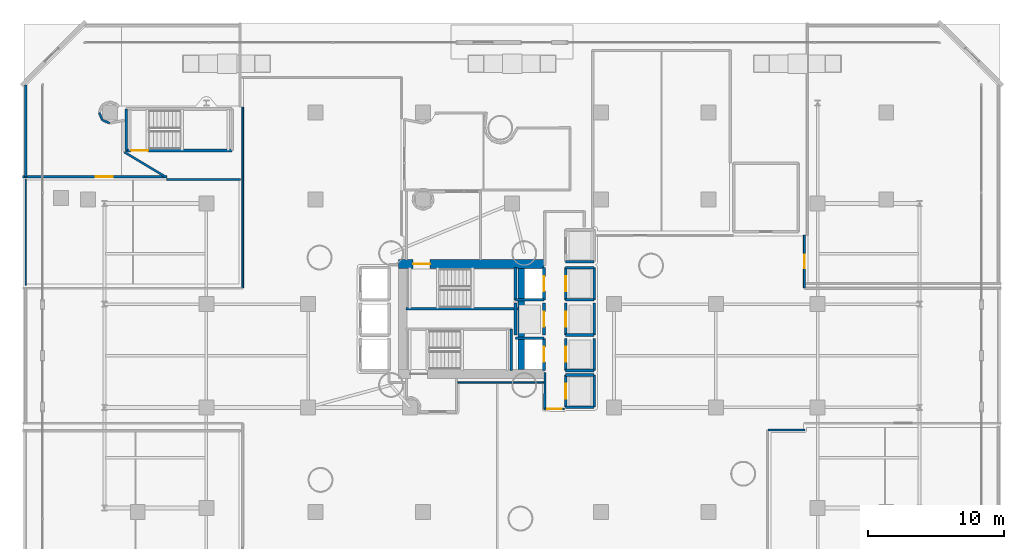
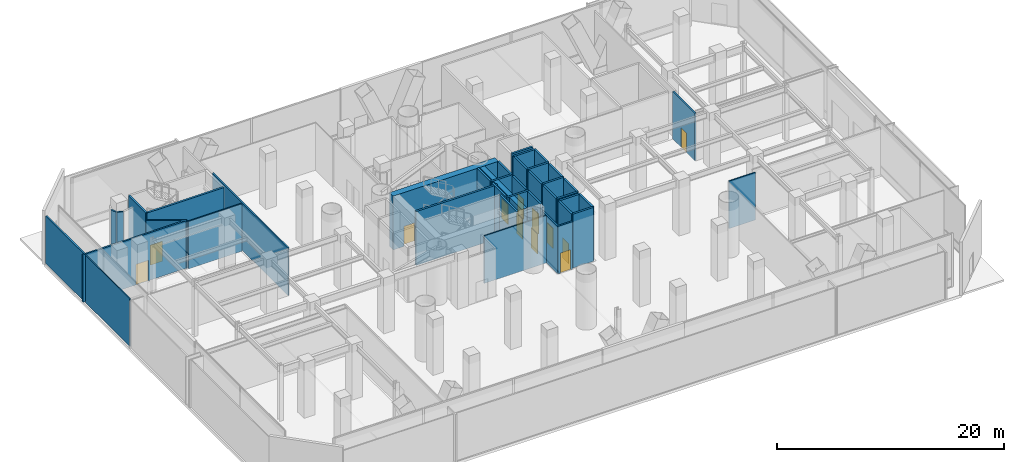
# One storey, part 29 of 40: 41 walls, 12 doors, 12 openings.
"""IFC4 building model written with IfcOpenShell, lengths in metres."""

from ifc_helpers import new_model, si_unit, direction, frame, frame_2d, origin, place, context, subcontext, project, spatial, rectangle, extrude, material, layer, layer_set, type_object, element, fill, save


model = new_model("IFC4")

# Units and contexts
model_context = context("Model", 3, precision=1e-05, world=origin(), true_north=direction((0.0, 1.0)))
body_context = subcontext(model_context, "Body", "Model", "MODEL_VIEW")
ifc_project = project(units=[si_unit("LENGTHUNIT", "METRE"), si_unit("AREAUNIT", "SQUARE_METRE"), si_unit("VOLUMEUNIT", "CUBIC_METRE"), si_unit("PLANEANGLEUNIT", "RADIAN"), si_unit("MASSUNIT", "GRAM", prefix="KILO")], contexts=[model_context])

# Site, building, storey
site_placement = place(None, origin())
site = spatial("IfcSite", under=ifc_project, at=site_placement, CompositionType="ELEMENT")
building_placement = place(site_placement, origin())
building = spatial("IfcBuilding", under=site, at=building_placement, Name="Qianvela Tower", CompositionType="ELEMENT")
storey_placement = place(building_placement, origin())
storey = spatial("IfcBuildingStorey", under=building, at=storey_placement, Name="L00", CompositionType="ELEMENT", Elevation=0.0)

# Wall, opening, door
ifc_material_1 = material(Name="Concrete C60", Category="concrete")
ifc_layer_1 = layer(ifc_material_1, 0.64990234375)
ifc_layer_set_1 = layer_set([ifc_layer_1], Name="Concrete C60")
wall_type_1 = type_object("IfcWallType", Name="WT-CORE-650", PredefinedType="SHEAR", material=ifc_layer_set_1)
wall_1_placement = place(storey_placement, frame((29.1298828125, 32.7451171875, 0.0), z_axis=(0.0, 0.0, 1.0), x_axis=(1.0, 0.0, 0.0)))
wall_1 = element("IfcWall", 1, at=wall_1_placement, inside=storey, type_object=wall_type_1, Name="L00 North Core Shear Wall", PredefinedType="SHEAR", context=body_context, shape_type="SweptSolid", body=[
    extrude(rectangle(XDim=10.72021484375, YDim=0.64990234375, at=frame_2d((5.360107421875, 0.0))), origin(), (0.0, 0.0, 1.0), 5.780029296875),
])
opening_1_placement = place(wall_1_placement, frame((1.094970703125, 0.0, 0.0)))
opening_1 = element("IfcOpeningElement", 2, at=opening_1_placement, cuts=wall_1, Name="Opening D-ST1", PredefinedType="OPENING", context=body_context, shape_type="SweptSolid", body=[
    extrude(rectangle(XDim=1.25, YDim=2.14990234375, at=frame_2d((0.625, 1.074951171875))), frame((0.0, 0.3349609375, 0.0), z_axis=(0.0, -1.0, 0.0), x_axis=(1.0, 0.0, 0.0)), (0.0, 0.0, 1.0), 0.669921875),
])
ifc_material_2 = material(Name="Galvanised Fire Steel Q355B", Category="steel")
door_type_1 = type_object("IfcDoorType", Name="DT-STAIR-FD90", OperationType="NOTDEFINED", PredefinedType="DOOR", material=ifc_material_2)
door_1_placement = place(opening_1_placement, origin())
door_1 = element("IfcDoor", 3, at=door_1_placement, inside=storey, type_object=door_type_1, Name="L00 Stair ST-1 Exit Door", OperationType="SINGLE_SWING_RIGHT", OverallHeight=2.14990234375, OverallWidth=1.25, PredefinedType="DOOR", context=body_context, shape_type="SweptSolid", body=[
    extrude(rectangle(XDim=1.25, YDim=2.14990234375, at=frame_2d((0.625, 1.074951171875))), frame((0.0, 0.02490234375, 0.0), z_axis=(0.0, -1.0, 0.0), x_axis=(1.0, 0.0, 0.0)), (0.0, 0.0, 1.0), 0.050048828125),
])
fill(opening_1, door_1)

# Wall
wall_2_placement = place(storey_placement, frame((38.179931640625, 24.97998046875, 0.0), z_axis=(0.0, 0.0, 1.0), x_axis=(0.0, 1.0, 0.0)))
element("IfcWall", 4, at=wall_2_placement, inside=storey, type_object=wall_type_1, Name="L00 East Spine Core Shear Wall", PredefinedType="SHEAR", context=body_context, shape_type="SweptSolid", body=[
    extrude(rectangle(XDim=7.43994140625, YDim=0.5, at=frame_2d((3.719970703125, 0.0))), origin(), (0.0, 0.0, 1.0), 5.780029296875),
])

# Wall, opening, door
ifc_material_3 = material(Name="Fire-Rated Gypsum and Concrete Block", Category="concrete")
ifc_layer_2 = layer(ifc_material_3, 0.159912109375)
ifc_layer_set_2 = layer_set([ifc_layer_2], Name="Fire-Rated Gypsum and Concrete Block")
wall_type_2 = type_object("IfcWallType", Name="WT-CORR-160", PredefinedType="PARTITIONING", material=ifc_layer_set_2)
wall_3_placement = place(storey_placement, frame((41.360107421875, 22.0810546875, 0.0), z_axis=(0.0, 0.0, 1.0), x_axis=(-1.0, 0.0, 0.0)))
wall_3 = element("IfcWall", 5, at=wall_3_placement, inside=storey, type_object=wall_type_2, Name="L00 Partition 28 seg 1", PredefinedType="PARTITIONING", context=body_context, shape_type="SweptSolid", body=[
    extrude(rectangle(XDim=1.480224609375, YDim=0.159912109375, at=frame_2d((0.740234375, 0.0))), origin(), (0.0, 0.0, 1.0), 5.10009765625),
])
opening_2_placement = place(wall_3_placement, frame((0.215087890625, 0.0, 0.0)))
opening_2 = element("IfcOpeningElement", 6, at=opening_2_placement, cuts=wall_3, Name="Opening D-PL1", PredefinedType="OPENING", context=body_context, shape_type="SweptSolid", body=[
    extrude(rectangle(XDim=1.050048828125, YDim=2.14990234375, at=frame_2d((0.52490234375, 1.074951171875))), frame((0.0, 0.08984375, 0.0), z_axis=(0.0, -1.0, 0.0), x_axis=(1.0, 0.0, 0.0)), (0.0, 0.0, 1.0), 0.179931640625),
])
ifc_material_4 = material(Name="Insulated Steel Fire Door Q355B", Category="steel")
door_type_2 = type_object("IfcDoorType", Name="DT-PLANT-FD90", OperationType="NOTDEFINED", PredefinedType="DOOR", material=ifc_material_4)
door_2_placement = place(opening_2_placement, origin())
door_2 = element("IfcDoor", 7, at=door_2_placement, inside=storey, type_object=door_type_2, Name="L00 Door L00 Lift Lobby to Street Concourse", OperationType="SINGLE_SWING_LEFT", OverallHeight=2.14990234375, OverallWidth=1.050048828125, PredefinedType="DOOR", context=body_context, shape_type="SweptSolid", body=[
    extrude(rectangle(XDim=1.050048828125, YDim=2.14990234375, at=frame_2d((0.52490234375, 1.074951171875))), frame((0.0, 0.02490234375, 0.0), z_axis=(0.0, -1.0, 0.0), x_axis=(1.0, 0.0, 0.0)), (0.0, 0.0, 1.0), 0.050048828125),
])
fill(opening_2, door_2)

# Walls
wall_4_placement = place(storey_placement, frame((39.910888671875, 22.0498046875, 0.0), z_axis=(0.0, 0.0, 1.0), x_axis=(0.005133679986, 0.999986822578, 0.0)))
element("IfcWall", 8, at=wall_4_placement, inside=storey, type_object=wall_type_2, Name="L00 Partition 29", PredefinedType="PARTITIONING", context=body_context, shape_type="SweptSolid", body=[
    extrude(rectangle(XDim=2.710693359375, YDim=0.159912109375, at=frame_2d((1.35546875, 0.0))), origin(), (0.0, 0.0, 1.0), 5.10009765625),
])
wall_5_placement = place(storey_placement, frame((8.975830078125, 40.984619140625, 0.0), z_axis=(0.0, 0.0, 1.0), x_axis=(0.857713004506, -0.514128779492, 0.0)))
element("IfcWall", 9, at=wall_5_placement, inside=storey, type_object=wall_type_2, Name="L00 Partition 32", PredefinedType="PARTITIONING", context=body_context, shape_type="SweptSolid", body=[
    extrude(rectangle(XDim=3.620361328125, YDim=0.159912109375, at=frame_2d((1.81005859375, 0.0))), origin(), (0.0, 0.0, 1.0), 5.10009765625),
])

# Wall, opening, door
wall_6_placement = place(storey_placement, frame((12.096923828125, 39.180908203125, 0.0), z_axis=(0.0, 0.0, 1.0), x_axis=(-1.0, 0.0, 0.0)))
wall_6 = element("IfcWall", 10, at=wall_6_placement, inside=storey, type_object=wall_type_2, Name="L00 Partition 33", PredefinedType="PARTITIONING", context=body_context, shape_type="SweptSolid", body=[
    extrude(rectangle(XDim=10.616943359375, YDim=0.159912109375, at=frame_2d((5.30859375, 0.0))), origin(), (0.0, 0.0, 1.0), 5.10009765625),
])
opening_3_placement = place(wall_6_placement, frame((3.9833984375, 0.0, 0.0)))
opening_3 = element("IfcOpeningElement", 11, at=opening_3_placement, cuts=wall_6, Name="Opening D-LG1", PredefinedType="OPENING", context=body_context, shape_type="SweptSolid", body=[
    extrude(rectangle(XDim=1.25, YDim=2.199951171875, at=frame_2d((0.625, 1.10009765625))), frame((0.0, 0.08984375, 0.0), z_axis=(0.0, -1.0, 0.0), x_axis=(1.0, 0.0, 0.0)), (0.0, 0.0, 1.0), 0.179931640625),
])
ifc_material_5 = material(Name="Anodised Aluminium Acoustic Glass Door", Category="aluminium")
door_type_3 = type_object("IfcDoorType", Name="DT-LOUNGE-1250", OperationType="NOTDEFINED", PredefinedType="DOOR", material=ifc_material_5)
door_3_placement = place(opening_3_placement, origin())
door_3 = element("IfcDoor", 12, at=door_3_placement, inside=storey, type_object=door_type_3, Name="L00 Door Student Residence Concierge and Mail Hall to L00 Protected Exit Passageway North-West", OperationType="SINGLE_SWING_LEFT", OverallHeight=2.199951171875, OverallWidth=1.25, PredefinedType="DOOR", context=body_context, shape_type="SweptSolid", body=[
    extrude(rectangle(XDim=1.25, YDim=2.199951171875, at=frame_2d((0.625, 1.10009765625))), frame((0.0, 0.02490234375, 0.0), z_axis=(0.0, -1.0, 0.0), x_axis=(1.0, 0.0, 0.0)), (0.0, 0.0, 1.0), 0.050048828125),
])
fill(opening_3, door_3)

# Walls
wall_7_placement = place(storey_placement, frame((1.7109375, 39.14990234375, 0.0), z_axis=(0.0, 0.0, 1.0), x_axis=(0.0, 1.0, 0.0)))
element("IfcWall", 13, at=wall_7_placement, inside=storey, type_object=wall_type_2, Name="L00 Partition 34", PredefinedType="PARTITIONING", context=body_context, shape_type="SweptSolid", body=[
    extrude(rectangle(XDim=6.775390625, YDim=0.159912109375, at=frame_2d((3.3876953125, 0.0))), origin(), (0.0, 0.0, 1.0), 5.10009765625),
])
for number, where, z_axis, x_axis, name in (
    (14, (7.121337890625, 43.88818359375, 0.0), (0.0, 0.0, 1.0), (0.382802560388, -0.92383017907, 0.0), "L00 Partition 46"),
    (15, (7.35791015625, 43.341064453125, 0.0), (0.0, 0.0, 1.0), (0.92383017907, -0.382802560388, 0.0), "L00 Partition 47"),
):
    element("IfcWall", number, at=place(storey_placement, frame(where, z_axis=z_axis, x_axis=x_axis)), inside=storey, type_object=wall_type_2, Name=name, PredefinedType="PARTITIONING", context=body_context, shape_type="SweptSolid", body=[
        extrude(rectangle(XDim=0.573974609375, YDim=0.159912109375, at=frame_2d((0.287109375, 0.0))), origin(), (0.0, 0.0, 1.0), 5.10009765625),
    ])
ifc_material_6 = material(Name="Lightweight Gypsum Room Partition")
ifc_layer_3 = layer(ifc_material_6, 0.10498046875)
ifc_layer_set_3 = layer_set([ifc_layer_3], Name="Lightweight Gypsum Room Partition")
wall_type_3 = type_object("IfcWallType", Name="WT-PART-105", PredefinedType="PARTITIONING", material=ifc_layer_set_3)
wall_8_placement = place(storey_placement, frame((1.7109375, 31.199951171875, 0.0), z_axis=(0.0, 0.0, 1.0), x_axis=(0.0, 1.0, 0.0)))
element("IfcWall", 16, at=wall_8_placement, inside=storey, type_object=wall_type_3, Name="L00 Partition 118", PredefinedType="PARTITIONING", context=body_context, shape_type="SweptSolid", body=[
    extrude(rectangle(XDim=7.800048828125, YDim=0.10498046875, at=frame_2d((3.89990234375, 0.0))), origin(), (0.0, 0.0, 1.0), 5.10009765625),
])
ifc_material_7 = material(Name="Insulated Gypsum Stud Partition")
ifc_layer_4 = layer(ifc_material_7, 0.1201171875)
ifc_layer_set_4 = layer_set([ifc_layer_4], Name="Insulated Gypsum Stud Partition")
wall_type_4 = type_object("IfcWallType", Name="WT-PART-120", PredefinedType="PARTITIONING", material=ifc_layer_set_4)
wall_9_placement = place(storey_placement, frame((33.511962890625, 24.01904296875, 0.0), z_axis=(0.0, 0.0, 1.0), x_axis=(1.0, 0.0, 0.0)))
element("IfcWall", 17, at=wall_9_placement, inside=storey, type_object=wall_type_4, Name="L00 Partition 84", PredefinedType="PARTITIONING", context=body_context, shape_type="SweptSolid", body=[
    extrude(rectangle(XDim=6.30810546875, YDim=0.1201171875, at=frame_2d((3.154052734375, 0.0))), origin(), (0.0, 0.0, 1.0), 5.10009765625),
])
wall_10_placement = place(storey_placement, frame((59.050048828125, 20.531005859375, 0.0), z_axis=(0.0, 0.0, 1.0), x_axis=(-1.0, 0.0, 0.0)))
element("IfcWall", 18, at=wall_10_placement, inside=storey, type_object=wall_type_4, Name="L00 Partition 99", PredefinedType="PARTITIONING", context=body_context, shape_type="SweptSolid", body=[
    extrude(rectangle(XDim=2.699951171875, YDim=0.1201171875, at=frame_2d((1.35009765625, 0.0))), origin(), (0.0, 0.0, 1.0), 5.10009765625),
])
ifc_material_8 = material(Name="Acoustic Double Gypsum Stud Partition")
ifc_layer_5 = layer(ifc_material_8, 0.139892578125)
ifc_layer_set_5 = layer_set([ifc_layer_5], Name="Acoustic Double Gypsum Stud Partition")
wall_type_5 = type_object("IfcWallType", Name="WT-ROOM-140", PredefinedType="PARTITIONING", material=ifc_layer_set_5)
wall_11_placement = place(storey_placement, frame((17.680908203125, 31.0, 0.0), z_axis=(0.0, 0.0, 1.0), x_axis=(0.0, 1.0, 0.0)))
element("IfcWall", 19, at=wall_11_placement, inside=storey, type_object=wall_type_5, Name="L00 Partition 68 seg 1", PredefinedType="PARTITIONING", context=body_context, shape_type="SweptSolid", body=[
    extrude(rectangle(XDim=13.297119140625, YDim=0.139892578125, at=frame_2d((6.6484375, 0.0))), origin(), (0.0, 0.0, 1.0), 5.10009765625),
])

# Wall, opening, door
wall_12_placement = place(storey_placement, frame((59.01904296875, 34.8798828125, 0.0), z_axis=(0.0, 0.0, 1.0), x_axis=(0.0, -1.0, 0.0)))
wall_12 = element("IfcWall", 20, at=wall_12_placement, inside=storey, type_object=wall_type_5, Name="L00 Partition 95", PredefinedType="PARTITIONING", context=body_context, shape_type="SweptSolid", body=[
    extrude(rectangle(XDim=3.8798828125, YDim=0.139892578125, at=frame_2d((1.93994140625, 0.0))), origin(), (0.0, 0.0, 1.0), 5.10009765625),
])
opening_4_placement = place(wall_12_placement, frame((1.449951171875, 0.0, 0.0)))
opening_4 = element("IfcOpeningElement", 21, at=opening_4_placement, cuts=wall_12, Name="Opening D-RM1", PredefinedType="OPENING", context=body_context, shape_type="SweptSolid", body=[
    extrude(rectangle(XDim=0.97998046875, YDim=2.10009765625, at=frame_2d((0.489990234375, 1.050048828125))), frame((0.0, 0.079833984375, 0.0), z_axis=(0.0, -1.0, 0.0), x_axis=(1.0, 0.0, 0.0)), (0.0, 0.0, 1.0), 0.159912109375),
])
ifc_material_9 = material(Name="Solid Core Acoustic Timber Fire Door", Category="wood")
door_type_4 = type_object("IfcDoorType", Name="DT-ROOM-FD60", OperationType="NOTDEFINED", PredefinedType="DOOR", material=ifc_material_9)
door_4_placement = place(opening_4_placement, origin())
door_4 = element("IfcDoor", 22, at=door_4_placement, inside=storey, type_object=door_type_4, Name="L00 Door Service Loading and Refuse Bay to Street Concourse", OperationType="SINGLE_SWING_RIGHT", OverallHeight=2.10009765625, OverallWidth=0.97998046875, PredefinedType="DOOR", context=body_context, shape_type="SweptSolid", body=[
    extrude(rectangle(XDim=0.97998046875, YDim=2.10009765625, at=frame_2d((0.489990234375, 1.050048828125))), frame((0.0, 0.02490234375, 0.0), z_axis=(0.0, -1.0, 0.0), x_axis=(1.0, 0.0, 0.0)), (0.0, 0.0, 1.0), 0.050048828125),
])
fill(opening_4, door_4)

# Walls
wall_13_placement = place(storey_placement, frame((12.096923828125, 38.968994140625, 0.0), z_axis=(0.0, 0.0, 1.0), x_axis=(1.0, 0.0, 0.0)))
element("IfcWall", 23, at=wall_13_placement, inside=storey, type_object=wall_type_5, Name="L00 Partition 119 seg 1", PredefinedType="PARTITIONING", context=body_context, shape_type="SweptSolid", body=[
    extrude(rectangle(XDim=5.403076171875, YDim=0.139892578125, at=frame_2d((2.70166015625, 0.0))), origin(), (0.0, 0.0, 1.0), 5.10009765625),
])
ifc_material_10 = material(Name="Concrete C50", Category="concrete")
ifc_layer_6 = layer(ifc_material_10, 0.199951171875)
ifc_layer_set_6 = layer_set([ifc_layer_6], Name="Concrete C50")
wall_type_6 = type_object("IfcWallType", Name="WT-SHAFT-200", PredefinedType="SOLIDWALL", material=ifc_layer_set_6)
wall_14_placement = place(storey_placement, frame((29.699951171875, 29.449951171875, 0.0), z_axis=(0.0, 0.0, 1.0), x_axis=(1.0, 0.0, 0.0)))
element("IfcWall", 24, at=wall_14_placement, inside=storey, type_object=wall_type_6, Name="L00 Stair ST-1 South Wall", PredefinedType="SOLIDWALL", context=body_context, shape_type="SweptSolid", body=[
    extrude(rectangle(XDim=8.300048828125, YDim=0.199951171875, at=frame_2d((4.14990234375, 0.0))), origin(), (0.0, 0.0, 1.0), 5.780029296875),
])
wall_15_placement = place(storey_placement, frame((37.449951171875, 24.89990234375, 0.0), z_axis=(0.0, 0.0, 1.0), x_axis=(0.0, 1.0, 0.0)))
element("IfcWall", 25, at=wall_15_placement, inside=storey, type_object=wall_type_6, Name="L00 Stair ST-2 East Wall", PredefinedType="SOLIDWALL", context=body_context, shape_type="SweptSolid", body=[
    extrude(rectangle(XDim=3.06005859375, YDim=0.199951171875, at=frame_2d((1.530029296875, 0.0))), origin(), (0.0, 0.0, 1.0), 5.780029296875),
])

# Wall, opening, door
wall_16_placement = place(storey_placement, frame((9.10009765625, 41.10009765625, 0.0), z_axis=(0.0, 0.0, 1.0), x_axis=(1.0, 0.0, 0.0)))
wall_16 = element("IfcWall", 26, at=wall_16_placement, inside=storey, type_object=wall_type_6, Name="L00 Stair ST-3 South Wall", PredefinedType="SOLIDWALL", context=body_context, shape_type="SweptSolid", body=[
    extrude(rectangle(XDim=7.7998046875, YDim=0.199951171875, at=frame_2d((3.89990234375, 0.0))), origin(), (0.0, 0.0, 1.0), 5.780029296875),
])
opening_5_placement = place(wall_16_placement, frame((0.360107421875, 0.0, 0.0)))
opening_5 = element("IfcOpeningElement", 27, at=opening_5_placement, cuts=wall_16, Name="Opening D-ST1", PredefinedType="OPENING", context=body_context, shape_type="SweptSolid", body=[
    extrude(rectangle(XDim=1.25, YDim=2.14990234375, at=frame_2d((0.625, 1.074951171875))), frame((0.0, 0.10986328125, 0.0), z_axis=(0.0, -1.0, 0.0), x_axis=(1.0, 0.0, 0.0)), (0.0, 0.0, 1.0), 0.219970703125),
])
door_5_placement = place(opening_5_placement, origin())
door_5 = element("IfcDoor", 28, at=door_5_placement, inside=storey, type_object=door_type_1, Name="L00 Stair ST-3 Exit Door", OperationType="SINGLE_SWING_LEFT", OverallHeight=2.14990234375, OverallWidth=1.25, PredefinedType="DOOR", context=body_context, shape_type="SweptSolid", body=[
    extrude(rectangle(XDim=1.25, YDim=2.14990234375, at=frame_2d((0.625, 1.074951171875))), frame((0.0, 0.02490234375, 0.0), z_axis=(0.0, -1.0, 0.0), x_axis=(1.0, 0.0, 0.0)), (0.0, 0.0, 1.0), 0.050048828125),
])
fill(opening_5, door_5)

# Wall
wall_17_placement = place(storey_placement, frame((9.10009765625, 41.10009765625, 0.0), z_axis=(0.0, 0.0, 1.0), x_axis=(0.0, 1.0, 0.0)))
element("IfcWall", 29, at=wall_17_placement, inside=storey, type_object=wall_type_6, Name="L00 Stair ST-3 West Wall", PredefinedType="SOLIDWALL", context=body_context, shape_type="SweptSolid", body=[
    extrude(rectangle(XDim=3.059814453125, YDim=0.199951171875, at=frame_2d((1.52978515625, 0.0))), origin(), (0.0, 0.0, 1.0), 5.780029296875),
])

# Wall, opening, door
wall_18_placement = place(storey_placement, frame((39.85009765625, 30.1201171875, 0.0), z_axis=(0.0, 0.0, 1.0), x_axis=(0.0, 1.0, 0.0)))
wall_18 = element("IfcWall", 30, at=wall_18_placement, inside=storey, type_object=wall_type_6, Name="L00 Lift FL-1 E Shaft Wall", PredefinedType="SOLIDWALL", context=body_context, shape_type="SweptSolid", body=[
    extrude(rectangle(XDim=2.35986328125, YDim=0.199951171875, at=frame_2d((1.179931640625, 0.0))), origin(), (0.0, 0.0, 1.0), 5.780029296875),
])
opening_6_placement = place(wall_18_placement, frame((0.6298828125, 0.0, 0.0)))
opening_6 = element("IfcOpeningElement", 31, at=opening_6_placement, cuts=wall_18, Name="Opening LD-01", PredefinedType="OPENING", context=body_context, shape_type="SweptSolid", body=[
    extrude(rectangle(XDim=1.10009765625, YDim=2.14990234375, at=frame_2d((0.550048828125, 1.074951171875))), frame((0.0, 0.10986328125, 0.0), z_axis=(0.0, -1.0, 0.0), x_axis=(1.0, 0.0, 0.0)), (0.0, 0.0, 1.0), 0.219970703125),
])
ifc_material_11 = material(Name="Brushed Stainless Steel Lift Landing Door", Category="steel")
door_type_5 = type_object("IfcDoorType", Name="DT-LIFT-SLIDE-1100", OperationType="SLIDING_TO_LEFT", PredefinedType="DOOR", material=ifc_material_11)
door_6_placement = place(opening_6_placement, origin())
door_6 = element("IfcDoor", 32, at=door_6_placement, inside=storey, type_object=door_type_5, Name="L00 Lift FL-1 Sliding Landing Door", OperationType="SLIDING_TO_LEFT", OverallHeight=2.14990234375, OverallWidth=1.10009765625, PredefinedType="DOOR", context=body_context, shape_type="SweptSolid", body=[
    extrude(rectangle(XDim=1.10009765625, YDim=2.14990234375, at=frame_2d((0.550048828125, 1.074951171875))), frame((0.0, 0.02490234375, 0.0), z_axis=(0.0, -1.0, 0.0), x_axis=(1.0, 0.0, 0.0)), (0.0, 0.0, 1.0), 0.050048828125),
])
fill(opening_6, door_6)

# Walls
wall_19_placement = place(storey_placement, frame((37.75, 30.1201171875, 0.0), z_axis=(0.0, 0.0, 1.0), x_axis=(0.0, 1.0, 0.0)))
element("IfcWall", 33, at=wall_19_placement, inside=storey, type_object=wall_type_6, Name="L00 Lift FL-1 W Shaft Wall", PredefinedType="SOLIDWALL", context=body_context, shape_type="SweptSolid", body=[
    extrude(rectangle(XDim=2.35986328125, YDim=0.199951171875, at=frame_2d((1.179931640625, 0.0))), origin(), (0.0, 0.0, 1.0), 5.780029296875),
])
wall_20_placement = place(storey_placement, frame((37.75, 30.1201171875, 0.0), z_axis=(0.0, 0.0, 1.0), x_axis=(1.0, 0.0, 0.0)))
element("IfcWall", 34, at=wall_20_placement, inside=storey, type_object=wall_type_6, Name="L00 Lift FL-1 S Shaft Wall", PredefinedType="SOLIDWALL", context=body_context, shape_type="SweptSolid", body=[
    extrude(rectangle(XDim=2.10009765625, YDim=0.199951171875, at=frame_2d((1.050048828125, 0.0))), origin(), (0.0, 0.0, 1.0), 5.780029296875),
])

# Wall, opening, door
wall_21_placement = place(storey_placement, frame((39.85009765625, 24.919921875, 0.0), z_axis=(0.0, 0.0, 1.0), x_axis=(0.0, 1.0, 0.0)))
wall_21 = element("IfcWall", 35, at=wall_21_placement, inside=storey, type_object=wall_type_6, Name="L00 Lift FL-2 E Shaft Wall", PredefinedType="SOLIDWALL", context=body_context, shape_type="SweptSolid", body=[
    extrude(rectangle(XDim=2.360107421875, YDim=0.199951171875, at=frame_2d((1.18017578125, 0.0))), origin(), (0.0, 0.0, 1.0), 5.780029296875),
])
opening_7_placement = place(wall_21_placement, frame((0.6298828125, 0.0, 0.0)))
opening_7 = element("IfcOpeningElement", 36, at=opening_7_placement, cuts=wall_21, Name="Opening LD-01", PredefinedType="OPENING", context=body_context, shape_type="SweptSolid", body=[
    extrude(rectangle(XDim=1.10009765625, YDim=2.14990234375, at=frame_2d((0.550048828125, 1.074951171875))), frame((0.0, 0.10986328125, 0.0), z_axis=(0.0, -1.0, 0.0), x_axis=(1.0, 0.0, 0.0)), (0.0, 0.0, 1.0), 0.219970703125),
])
door_7_placement = place(opening_7_placement, origin())
door_7 = element("IfcDoor", 37, at=door_7_placement, inside=storey, type_object=door_type_5, Name="L00 Lift FL-2 Sliding Landing Door", OperationType="SLIDING_TO_LEFT", OverallHeight=2.14990234375, OverallWidth=1.10009765625, PredefinedType="DOOR", context=body_context, shape_type="SweptSolid", body=[
    extrude(rectangle(XDim=1.10009765625, YDim=2.14990234375, at=frame_2d((0.550048828125, 1.074951171875))), frame((0.0, 0.02490234375, 0.0), z_axis=(0.0, -1.0, 0.0), x_axis=(1.0, 0.0, 0.0)), (0.0, 0.0, 1.0), 0.050048828125),
])
fill(opening_7, door_7)

# Walls
wall_22_placement = place(storey_placement, frame((37.75, 27.280029296875, 0.0), z_axis=(0.0, 0.0, 1.0), x_axis=(1.0, 0.0, 0.0)))
element("IfcWall", 38, at=wall_22_placement, inside=storey, type_object=wall_type_6, Name="L00 Lift FL-2 N Shaft Wall", PredefinedType="SOLIDWALL", context=body_context, shape_type="SweptSolid", body=[
    extrude(rectangle(XDim=2.10009765625, YDim=0.199951171875, at=frame_2d((1.050048828125, 0.0))), origin(), (0.0, 0.0, 1.0), 5.780029296875),
])
wall_23_placement = place(storey_placement, frame((43.550048828125, 30.1201171875, 0.0), z_axis=(0.0, 0.0, 1.0), x_axis=(0.0, 1.0, 0.0)))
element("IfcWall", 39, at=wall_23_placement, inside=storey, type_object=wall_type_6, Name="L00 Lift PL-M1 E Shaft Wall", PredefinedType="SOLIDWALL", context=body_context, shape_type="SweptSolid", body=[
    extrude(rectangle(XDim=2.35986328125, YDim=0.199951171875, at=frame_2d((1.179931640625, 0.0))), origin(), (0.0, 0.0, 1.0), 5.780029296875),
])

# Wall, opening, door
wall_24_placement = place(storey_placement, frame((41.449951171875, 30.1201171875, 0.0), z_axis=(0.0, 0.0, 1.0), x_axis=(0.0, 1.0, 0.0)))
wall_24 = element("IfcWall", 40, at=wall_24_placement, inside=storey, type_object=wall_type_6, Name="L00 Lift PL-M1 W Shaft Wall", PredefinedType="SOLIDWALL", context=body_context, shape_type="SweptSolid", body=[
    extrude(rectangle(XDim=2.35986328125, YDim=0.199951171875, at=frame_2d((1.179931640625, 0.0))), origin(), (0.0, 0.0, 1.0), 5.780029296875),
])
opening_8_placement = place(wall_24_placement, frame((0.6298828125, 0.0, 0.0)))
opening_8 = element("IfcOpeningElement", 41, at=opening_8_placement, cuts=wall_24, Name="Opening LD-01", PredefinedType="OPENING", context=body_context, shape_type="SweptSolid", body=[
    extrude(rectangle(XDim=1.10009765625, YDim=2.14990234375, at=frame_2d((0.550048828125, 1.074951171875))), frame((0.0, 0.10986328125, 0.0), z_axis=(0.0, -1.0, 0.0), x_axis=(1.0, 0.0, 0.0)), (0.0, 0.0, 1.0), 0.219970703125),
])
door_8_placement = place(opening_8_placement, origin())
door_8 = element("IfcDoor", 42, at=door_8_placement, inside=storey, type_object=door_type_5, Name="L00 Lift PL-M1 Sliding Landing Door", OperationType="SLIDING_TO_LEFT", OverallHeight=2.14990234375, OverallWidth=1.10009765625, PredefinedType="DOOR", context=body_context, shape_type="SweptSolid", body=[
    extrude(rectangle(XDim=1.10009765625, YDim=2.14990234375, at=frame_2d((0.550048828125, 1.074951171875))), frame((0.0, 0.02490234375, 0.0), z_axis=(0.0, -1.0, 0.0), x_axis=(1.0, 0.0, 0.0)), (0.0, 0.0, 1.0), 0.050048828125),
])
fill(opening_8, door_8)

# Walls
for number, where, z_axis, x_axis, name in (
    (43, (41.449951171875, 32.47998046875, 0.0), (0.0, 0.0, 1.0), (1.0, 0.0, 0.0), "L00 Lift PL-M1 N Shaft Wall"),
    (44, (41.449951171875, 30.1201171875, 0.0), (0.0, 0.0, 1.0), (1.0, 0.0, 0.0), "L00 Lift PL-M1 S Shaft Wall"),
):
    element("IfcWall", number, at=place(storey_placement, frame(where, z_axis=z_axis, x_axis=x_axis)), inside=storey, type_object=wall_type_6, Name=name, PredefinedType="SOLIDWALL", context=body_context, shape_type="SweptSolid", body=[
        extrude(rectangle(XDim=2.10009765625, YDim=0.199951171875, at=frame_2d((1.050048828125, 0.0))), origin(), (0.0, 0.0, 1.0), 5.780029296875),
    ])
wall_25_placement = place(storey_placement, frame((43.550048828125, 27.52001953125, 0.0), z_axis=(0.0, 0.0, 1.0), x_axis=(0.0, 1.0, 0.0)))
element("IfcWall", 45, at=wall_25_placement, inside=storey, type_object=wall_type_6, Name="L00 Lift PL-M2 E Shaft Wall", PredefinedType="SOLIDWALL", context=body_context, shape_type="SweptSolid", body=[
    extrude(rectangle(XDim=2.35986328125, YDim=0.199951171875, at=frame_2d((1.179931640625, 0.0))), origin(), (0.0, 0.0, 1.0), 5.780029296875),
])

# Wall, opening, door
wall_26_placement = place(storey_placement, frame((41.449951171875, 27.52001953125, 0.0), z_axis=(0.0, 0.0, 1.0), x_axis=(0.0, 1.0, 0.0)))
wall_26 = element("IfcWall", 46, at=wall_26_placement, inside=storey, type_object=wall_type_6, Name="L00 Lift PL-M2 W Shaft Wall", PredefinedType="SOLIDWALL", context=body_context, shape_type="SweptSolid", body=[
    extrude(rectangle(XDim=2.35986328125, YDim=0.199951171875, at=frame_2d((1.179931640625, 0.0))), origin(), (0.0, 0.0, 1.0), 5.780029296875),
])
opening_9_placement = place(wall_26_placement, frame((0.6298828125, 0.0, 0.0)))
opening_9 = element("IfcOpeningElement", 47, at=opening_9_placement, cuts=wall_26, Name="Opening LD-01", PredefinedType="OPENING", context=body_context, shape_type="SweptSolid", body=[
    extrude(rectangle(XDim=1.10009765625, YDim=2.14990234375, at=frame_2d((0.550048828125, 1.074951171875))), frame((0.0, 0.10986328125, 0.0), z_axis=(0.0, -1.0, 0.0), x_axis=(1.0, 0.0, 0.0)), (0.0, 0.0, 1.0), 0.219970703125),
])
door_9_placement = place(opening_9_placement, origin())
door_9 = element("IfcDoor", 48, at=door_9_placement, inside=storey, type_object=door_type_5, Name="L00 Lift PL-M2 Sliding Landing Door", OperationType="SLIDING_TO_LEFT", OverallHeight=2.14990234375, OverallWidth=1.10009765625, PredefinedType="DOOR", context=body_context, shape_type="SweptSolid", body=[
    extrude(rectangle(XDim=1.10009765625, YDim=2.14990234375, at=frame_2d((0.550048828125, 1.074951171875))), frame((0.0, 0.02490234375, 0.0), z_axis=(0.0, -1.0, 0.0), x_axis=(1.0, 0.0, 0.0)), (0.0, 0.0, 1.0), 0.050048828125),
])
fill(opening_9, door_9)

# Walls
wall_27_placement = place(storey_placement, frame((41.449951171875, 27.52001953125, 0.0), z_axis=(0.0, 0.0, 1.0), x_axis=(1.0, 0.0, 0.0)))
element("IfcWall", 49, at=wall_27_placement, inside=storey, type_object=wall_type_6, Name="L00 Lift PL-M2 S Shaft Wall", PredefinedType="SOLIDWALL", context=body_context, shape_type="SweptSolid", body=[
    extrude(rectangle(XDim=2.10009765625, YDim=0.199951171875, at=frame_2d((1.050048828125, 0.0))), origin(), (0.0, 0.0, 1.0), 5.780029296875),
])
wall_28_placement = place(storey_placement, frame((43.550048828125, 24.919921875, 0.0), z_axis=(0.0, 0.0, 1.0), x_axis=(0.0, 1.0, 0.0)))
element("IfcWall", 50, at=wall_28_placement, inside=storey, type_object=wall_type_6, Name="L00 Lift PL-M3 E Shaft Wall", PredefinedType="SOLIDWALL", context=body_context, shape_type="SweptSolid", body=[
    extrude(rectangle(XDim=2.360107421875, YDim=0.199951171875, at=frame_2d((1.18017578125, 0.0))), origin(), (0.0, 0.0, 1.0), 5.780029296875),
])

# Wall, opening, door
wall_29_placement = place(storey_placement, frame((41.449951171875, 24.919921875, 0.0), z_axis=(0.0, 0.0, 1.0), x_axis=(0.0, 1.0, 0.0)))
wall_29 = element("IfcWall", 51, at=wall_29_placement, inside=storey, type_object=wall_type_6, Name="L00 Lift PL-M3 W Shaft Wall", PredefinedType="SOLIDWALL", context=body_context, shape_type="SweptSolid", body=[
    extrude(rectangle(XDim=2.360107421875, YDim=0.199951171875, at=frame_2d((1.18017578125, 0.0))), origin(), (0.0, 0.0, 1.0), 5.780029296875),
])
opening_10_placement = place(wall_29_placement, frame((0.6298828125, 0.0, 0.0)))
opening_10 = element("IfcOpeningElement", 52, at=opening_10_placement, cuts=wall_29, Name="Opening LD-01", PredefinedType="OPENING", context=body_context, shape_type="SweptSolid", body=[
    extrude(rectangle(XDim=1.10009765625, YDim=2.14990234375, at=frame_2d((0.550048828125, 1.074951171875))), frame((0.0, 0.10986328125, 0.0), z_axis=(0.0, -1.0, 0.0), x_axis=(1.0, 0.0, 0.0)), (0.0, 0.0, 1.0), 0.219970703125),
])
door_10_placement = place(opening_10_placement, origin())
door_10 = element("IfcDoor", 53, at=door_10_placement, inside=storey, type_object=door_type_5, Name="L00 Lift PL-M3 Sliding Landing Door", OperationType="SLIDING_TO_LEFT", OverallHeight=2.14990234375, OverallWidth=1.10009765625, PredefinedType="DOOR", context=body_context, shape_type="SweptSolid", body=[
    extrude(rectangle(XDim=1.10009765625, YDim=2.14990234375, at=frame_2d((0.550048828125, 1.074951171875))), frame((0.0, 0.02490234375, 0.0), z_axis=(0.0, -1.0, 0.0), x_axis=(1.0, 0.0, 0.0)), (0.0, 0.0, 1.0), 0.050048828125),
])
fill(opening_10, door_10)

# Wall
wall_30_placement = place(storey_placement, frame((41.449951171875, 24.919921875, 0.0), z_axis=(0.0, 0.0, 1.0), x_axis=(1.0, 0.0, 0.0)))
element("IfcWall", 54, at=wall_30_placement, inside=storey, type_object=wall_type_6, Name="L00 Lift PL-M3 S Shaft Wall", PredefinedType="SOLIDWALL", context=body_context, shape_type="SweptSolid", body=[
    extrude(rectangle(XDim=2.10009765625, YDim=0.199951171875, at=frame_2d((1.050048828125, 0.0))), origin(), (0.0, 0.0, 1.0), 5.780029296875),
])

# Wall, opening, door
wall_31_placement = place(storey_placement, frame((39.85009765625, 27.52001953125, 0.0), z_axis=(0.0, 0.0, 1.0), x_axis=(0.0, 1.0, 0.0)))
wall_31 = element("IfcWall", 55, at=wall_31_placement, inside=storey, type_object=wall_type_6, Name="L00 Lift PL-H1 E Shaft Wall", PredefinedType="SOLIDWALL", context=body_context, shape_type="SweptSolid", body=[
    extrude(rectangle(XDim=2.35986328125, YDim=0.199951171875, at=frame_2d((1.179931640625, 0.0))), origin(), (0.0, 0.0, 1.0), 5.780029296875),
])
opening_11_placement = place(wall_31_placement, frame((0.6298828125, 0.0, 0.0)))
opening_11 = element("IfcOpeningElement", 56, at=opening_11_placement, cuts=wall_31, Name="Opening LD-01", PredefinedType="OPENING", context=body_context, shape_type="SweptSolid", body=[
    extrude(rectangle(XDim=1.10009765625, YDim=2.14990234375, at=frame_2d((0.550048828125, 1.074951171875))), frame((0.0, 0.10986328125, 0.0), z_axis=(0.0, -1.0, 0.0), x_axis=(1.0, 0.0, 0.0)), (0.0, 0.0, 1.0), 0.219970703125),
])
door_11_placement = place(opening_11_placement, origin())
door_11 = element("IfcDoor", 57, at=door_11_placement, inside=storey, type_object=door_type_5, Name="L00 Lift PL-H1 Sliding Landing Door", OperationType="SLIDING_TO_LEFT", OverallHeight=2.14990234375, OverallWidth=1.10009765625, PredefinedType="DOOR", context=body_context, shape_type="SweptSolid", body=[
    extrude(rectangle(XDim=1.10009765625, YDim=2.14990234375, at=frame_2d((0.550048828125, 1.074951171875))), frame((0.0, 0.02490234375, 0.0), z_axis=(0.0, -1.0, 0.0), x_axis=(1.0, 0.0, 0.0)), (0.0, 0.0, 1.0), 0.050048828125),
])
fill(opening_11, door_11)

# Walls
wall_32_placement = place(storey_placement, frame((37.75, 27.52001953125, 0.0), z_axis=(0.0, 0.0, 1.0), x_axis=(0.0, 1.0, 0.0)))
element("IfcWall", 58, at=wall_32_placement, inside=storey, type_object=wall_type_6, Name="L00 Lift PL-H1 W Shaft Wall seg 1", PredefinedType="SOLIDWALL", context=body_context, shape_type="SweptSolid", body=[
    extrude(rectangle(XDim=2.35986328125, YDim=0.199951171875, at=frame_2d((1.179931640625, 0.0))), origin(), (0.0, 0.0, 1.0), 5.780029296875),
])
wall_33_placement = place(storey_placement, frame((43.550048828125, 22.219970703125, 0.0), z_axis=(0.0, 0.0, 1.0), x_axis=(0.0, 1.0, 0.0)))
element("IfcWall", 59, at=wall_33_placement, inside=storey, type_object=wall_type_6, Name="L00 Lift PL-H2 E Shaft Wall", PredefinedType="SOLIDWALL", context=body_context, shape_type="SweptSolid", body=[
    extrude(rectangle(XDim=2.360107421875, YDim=0.199951171875, at=frame_2d((1.18017578125, 0.0))), origin(), (0.0, 0.0, 1.0), 5.780029296875),
])

# Wall, opening, door
wall_34_placement = place(storey_placement, frame((41.449951171875, 22.219970703125, 0.0), z_axis=(0.0, 0.0, 1.0), x_axis=(0.0, 1.0, 0.0)))
wall_34 = element("IfcWall", 60, at=wall_34_placement, inside=storey, type_object=wall_type_6, Name="L00 Lift PL-H2 W Shaft Wall", PredefinedType="SOLIDWALL", context=body_context, shape_type="SweptSolid", body=[
    extrude(rectangle(XDim=2.360107421875, YDim=0.199951171875, at=frame_2d((1.18017578125, 0.0))), origin(), (0.0, 0.0, 1.0), 5.780029296875),
])
opening_12_placement = place(wall_34_placement, frame((0.6298828125, 0.0, 0.0)))
opening_12 = element("IfcOpeningElement", 61, at=opening_12_placement, cuts=wall_34, Name="Opening LD-01", PredefinedType="OPENING", context=body_context, shape_type="SweptSolid", body=[
    extrude(rectangle(XDim=1.10009765625, YDim=2.14990234375, at=frame_2d((0.550048828125, 1.074951171875))), frame((0.0, 0.10986328125, 0.0), z_axis=(0.0, -1.0, 0.0), x_axis=(1.0, 0.0, 0.0)), (0.0, 0.0, 1.0), 0.219970703125),
])
door_12_placement = place(opening_12_placement, origin())
door_12 = element("IfcDoor", 62, at=door_12_placement, inside=storey, type_object=door_type_5, Name="L00 Lift PL-H2 Sliding Landing Door", OperationType="SLIDING_TO_LEFT", OverallHeight=2.14990234375, OverallWidth=1.10009765625, PredefinedType="DOOR", context=body_context, shape_type="SweptSolid", body=[
    extrude(rectangle(XDim=1.10009765625, YDim=2.14990234375, at=frame_2d((0.550048828125, 1.074951171875))), frame((0.0, 0.02490234375, 0.0), z_axis=(0.0, -1.0, 0.0), x_axis=(1.0, 0.0, 0.0)), (0.0, 0.0, 1.0), 0.050048828125),
])
fill(opening_12, door_12)

# Walls
for number, where, z_axis, x_axis, name in (
    (63, (41.449951171875, 24.580078125, 0.0), (0.0, 0.0, 1.0), (1.0, 0.0, 0.0), "L00 Lift PL-H2 N Shaft Wall"),
    (64, (41.449951171875, 22.219970703125, 0.0), (0.0, 0.0, 1.0), (1.0, 0.0, 0.0), "L00 Lift PL-H2 S Shaft Wall"),
    (65, (41.449951171875, 32.919921875, 0.0), (0.0, 0.0, 1.0), (1.0, 0.0, 0.0), "L00 Lift PL-H3 S Shaft Wall"),
):
    element("IfcWall", number, at=place(storey_placement, frame(where, z_axis=z_axis, x_axis=x_axis)), inside=storey, type_object=wall_type_6, Name=name, PredefinedType="SOLIDWALL", context=body_context, shape_type="SweptSolid", body=[
        extrude(rectangle(XDim=2.10009765625, YDim=0.199951171875, at=frame_2d((1.050048828125, 0.0))), origin(), (0.0, 0.0, 1.0), 5.780029296875),
    ])

save(model, "model.ifc")
